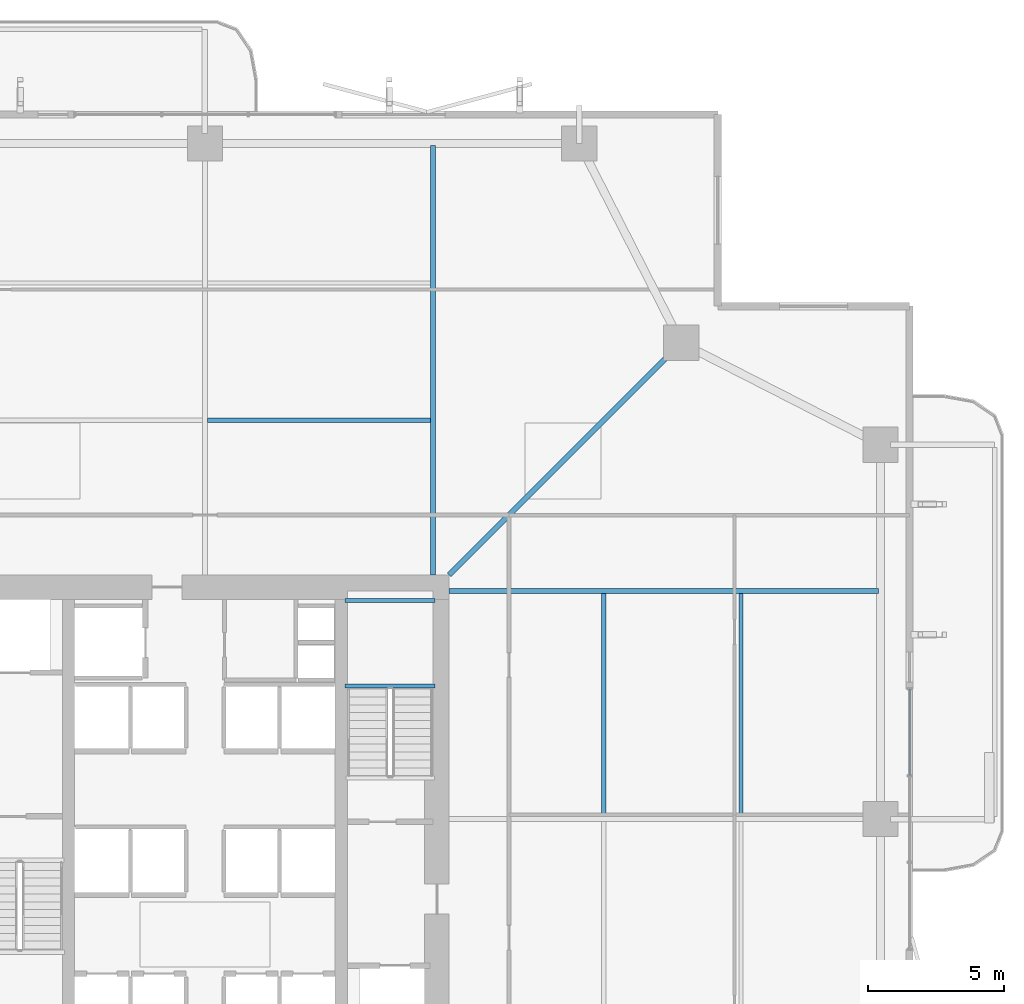
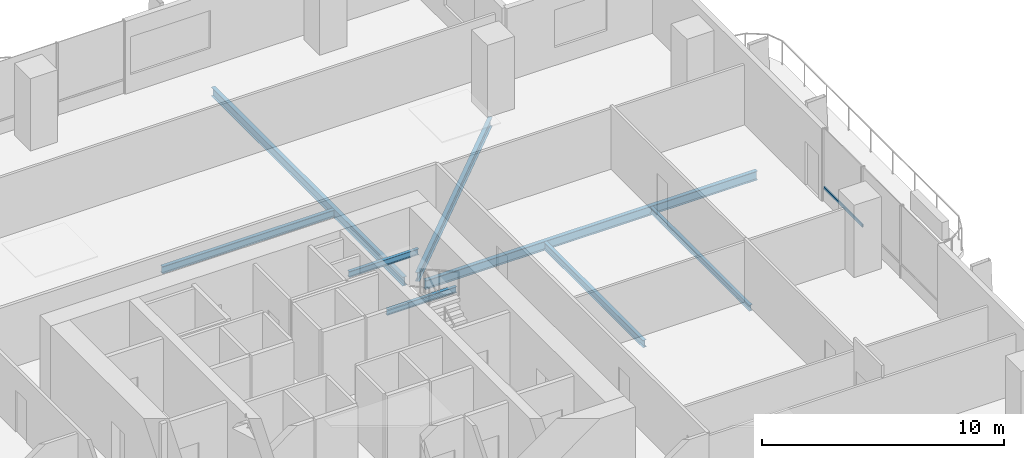
# One storey, part 12 of 24: 8 beams, 1 member, 1 element without a shape of its own.
"""IFC4 building model written with IfcOpenShell, lengths in metres."""

from ifc_helpers import new_model, si_unit, direction, frame, origin, origin_2d, place, context, subcontext, project, spatial, hollow_rectangle, i_section, extrude, material, layer, layer_set, material_profile, profile_set, type_object, element, aggregate, save


model = new_model("IFC4")

# Units and contexts
model_context = context("Model", 3, precision=1e-05, world=origin(), true_north=direction((0.0, 1.0)))
body_context = subcontext(model_context, "Body", "Model", "MODEL_VIEW")
ifc_project = project(units=[si_unit("LENGTHUNIT", "METRE"), si_unit("AREAUNIT", "SQUARE_METRE"), si_unit("VOLUMEUNIT", "CUBIC_METRE"), si_unit("PLANEANGLEUNIT", "RADIAN"), si_unit("MASSUNIT", "GRAM", prefix="KILO")], contexts=[model_context])

# Site, building, storey
site_placement = place(None, origin())
site = spatial("IfcSite", under=ifc_project, at=site_placement, CompositionType="ELEMENT")
building_placement = place(site_placement, origin())
building = spatial("IfcBuilding", under=site, at=building_placement, Name="Belovzor Exchange Tower", CompositionType="ELEMENT")
storey_placement = place(building_placement, frame((0.0, 0.0, 121.199951171875)))
storey = spatial("IfcBuildingStorey", under=building, at=storey_placement, Name="L29", CompositionType="ELEMENT", Elevation=121.199951171875)

# Beams
ifc_material_1 = material(Name="Steel S355", Category="steel")
ifc_material_profile_1 = material_profile(ifc_material_1, i_section(OverallWidth=0.169921875, OverallDepth=0.360107421875, WebThickness=0.008056640625, FlangeThickness=0.0126953125, at=origin_2d()))
ifc_profile_set_1 = profile_set([ifc_material_profile_1], Name="Steel S355")
beam_type_1 = type_object("IfcBeamType", Name="Secondary Infill Floor Joist IPE 360", PredefinedType="BEAM", material=ifc_profile_set_1)
for number, where, z_axis, x_axis, name in (
    (1, (28.89501953125, 43.4970703125, -0.429931640625), (1.0, 0.0, 0.0), (0.0, 1.0, 0.0), "FJ-360 Secondary Infill Floor Joist IPE 360"),
    (2, (43.4970703125, 28.89501953125, -0.429931640625), (0.0, 1.0, 0.0), (-1.0, 0.0, 0.0), "FJ-360 Secondary Infill Floor Joist IPE 360"),
):
    element("IfcBeam", number, at=place(storey_placement, frame(where, z_axis=z_axis, x_axis=x_axis)), inside=storey, type_object=beam_type_1, Name=name, PredefinedType="BEAM", context=body_context, shape_type="SweptSolid", body=[
        extrude(i_section(OverallWidth=0.169921875, OverallDepth=0.360107421875, WebThickness=0.008056640625, FlangeThickness=0.0126953125, at=origin_2d()), origin(), (0.0, 0.0, 1.0), 8.2099609375),
    ])
ifc_material_2 = material(Name="Steel S355", Category="steel")
ifc_material_profile_2 = material_profile(ifc_material_2, i_section(OverallWidth=0.14990234375, OverallDepth=0.300048828125, WebThickness=0.007080078125, FlangeThickness=0.0107421875, at=origin_2d()))
ifc_profile_set_2 = profile_set([ifc_material_profile_2], Name="Steel S355")
beam_type_2 = type_object("IfcBeamType", Name="Secondary Trim Floor Joist IPE 300", PredefinedType="BEAM", material=ifc_profile_set_2)
for number, where, z_axis, x_axis, name in (
    (3, (37.280029296875, 33.7099609375, 1.60009765625), (-1.0, 0.0, 0.0), (0.0, -1.0, 0.0), "FJ-300 Secondary Trim Floor Joist IPE 300"),
    (4, (37.280029296875, 36.85009765625, 1.60009765625), (-1.0, 0.0, 0.0), (0.0, -1.0, 0.0), "FJ-300 Secondary Trim Floor Joist IPE 300"),
):
    element("IfcBeam", number, at=place(storey_placement, frame(where, z_axis=z_axis, x_axis=x_axis)), inside=storey, type_object=beam_type_2, Name=name, PredefinedType="BEAM", context=body_context, shape_type="SweptSolid", body=[
        extrude(i_section(OverallWidth=0.14990234375, OverallDepth=0.300048828125, WebThickness=0.007080078125, FlangeThickness=0.0107421875, at=origin_2d()), origin(), (0.0, 0.0, 1.0), 3.31005859375),
    ])
beam_1_placement = place(storey_placement, frame((48.56103515625, 28.89501953125, -0.39990234375), z_axis=(0.0, 1.0, 0.0), x_axis=(-1.0, 0.0, 0.0)))
element("IfcBeam", 5, at=beam_1_placement, inside=storey, type_object=beam_type_2, Name="FJ-300 Secondary Trim Floor Joist IPE 300", PredefinedType="BEAM", context=body_context, shape_type="SweptSolid", body=[
    extrude(i_section(OverallWidth=0.14990234375, OverallDepth=0.300048828125, WebThickness=0.007080078125, FlangeThickness=0.0107421875, at=origin_2d()), origin(), (0.0, 0.0, 1.0), 8.2099609375),
])

# Curtain wall, member
ifc_material_3 = material(Name="Anodised Aluminium Framing", Category="aluminium")
ifc_layer = layer(ifc_material_3, 0.179931640625)
ifc_layer_set = layer_set([ifc_layer], Name="Anodised Aluminium Framing")
curtain_wall_type = type_object("IfcCurtainWallType", Name="Recessed Loggia Low-Iron Triple-Glazed Curtain Wall", PredefinedType="NOTDEFINED", material=ifc_layer_set)
curtain_wall_placement = place(storey_placement, origin())
curtain_wall = element("IfcCurtainWall", 6, at=curtain_wall_placement, inside=storey, type_object=curtain_wall_type, Name="CW3 Recessed Loggia Low-Iron Triple-Glazed Curtain Wall L29", PredefinedType="NOTDEFINED")
ifc_material_4 = material(Name="Steel S355", Category="steel")
ifc_material_profile_3 = material_profile(ifc_material_4, hollow_rectangle(XDim=0.06005859375, YDim=0.14990234375, WallThickness=0.00390625, at=origin_2d()))
ifc_profile_set_3 = profile_set([ifc_material_profile_3], Name="Steel S355")
member_type = type_object("IfcMemberType", Name="Thermally Broken Curtain Wall Transom 150x60", PredefinedType="USERDEFINED", material=ifc_profile_set_3)
member_placement = place(storey_placement, frame((54.77001953125, 33.592041015625, 0.650146484375), z_axis=(0.0, -1.0, 0.0), x_axis=(1.0, 0.0, 0.0)))
member = element("IfcMember", 7, at=member_placement, type_object=member_type, Name="CW-T150 Curtain Wall Transom 1", ObjectType="TRANSOM", PredefinedType="USERDEFINED", context=body_context, shape_type="SweptSolid", body=[
    extrude(hollow_rectangle(XDim=0.06005859375, YDim=0.14990234375, WallThickness=0.00390625, at=origin_2d()), origin(), (0.0, 0.0, 1.0), 3.18408203125),
])
aggregate(curtain_wall, [member])

# Beams
ifc_material_5 = material(Name="Steel S355", Category="steel")
ifc_material_profile_4 = material_profile(ifc_material_5, i_section(OverallWidth=0.18994140625, OverallDepth=0.449951171875, WebThickness=0.009521484375, FlangeThickness=0.0146484375, at=origin_2d()))
ifc_profile_set_4 = profile_set([ifc_material_profile_4], Name="Steel S355")
beam_type_3 = type_object("IfcBeamType", Name="Zone 2-4 Radial Composite Floor Beam IPE 450", PredefinedType="BEAM", material=ifc_profile_set_4)
for number, where, z_axis, x_axis, name in (
    (8, (37.199951171875, 37.800048828125, -0.474853515625), (0.0, 1.0, 0.0), (-1.0, 0.0, 0.0), "FB-450 Zone 2-4 Radial Composite Floor Beam IPE 450"),
    (9, (37.800048828125, 37.199951171875, -0.474853515625), (1.0, 0.0, 0.0), (0.0, 1.0, 0.0), "FB-450 Zone 2-4 Radial Composite Floor Beam IPE 450"),
):
    element("IfcBeam", number, at=place(storey_placement, frame(where, z_axis=z_axis, x_axis=x_axis)), inside=storey, type_object=beam_type_3, Name=name, PredefinedType="BEAM", context=body_context, shape_type="SweptSolid", body=[
        extrude(i_section(OverallWidth=0.18994140625, OverallDepth=0.449951171875, WebThickness=0.009521484375, FlangeThickness=0.0146484375, at=origin_2d()), origin(), (0.0, 0.0, 1.0), 15.824951171875),
    ])
beam_2_placement = place(storey_placement, frame((37.800048828125, 37.800048828125, -0.474853515625), z_axis=(0.707106781187, 0.707106781187, 0.0), x_axis=(-0.707106781187, 0.707106781187, 0.0)))
element("IfcBeam", 10, at=beam_2_placement, inside=storey, type_object=beam_type_3, Name="FB-450 Zone 2-4 Radial Composite Floor Beam IPE 450", PredefinedType="BEAM", context=body_context, shape_type="SweptSolid", body=[
    extrude(i_section(OverallWidth=0.18994140625, OverallDepth=0.449951171875, WebThickness=0.009521484375, FlangeThickness=0.0146484375, at=origin_2d()), origin(), (0.0, 0.0, 1.0), 11.631591796875),
])

save(model, "model.ifc")
